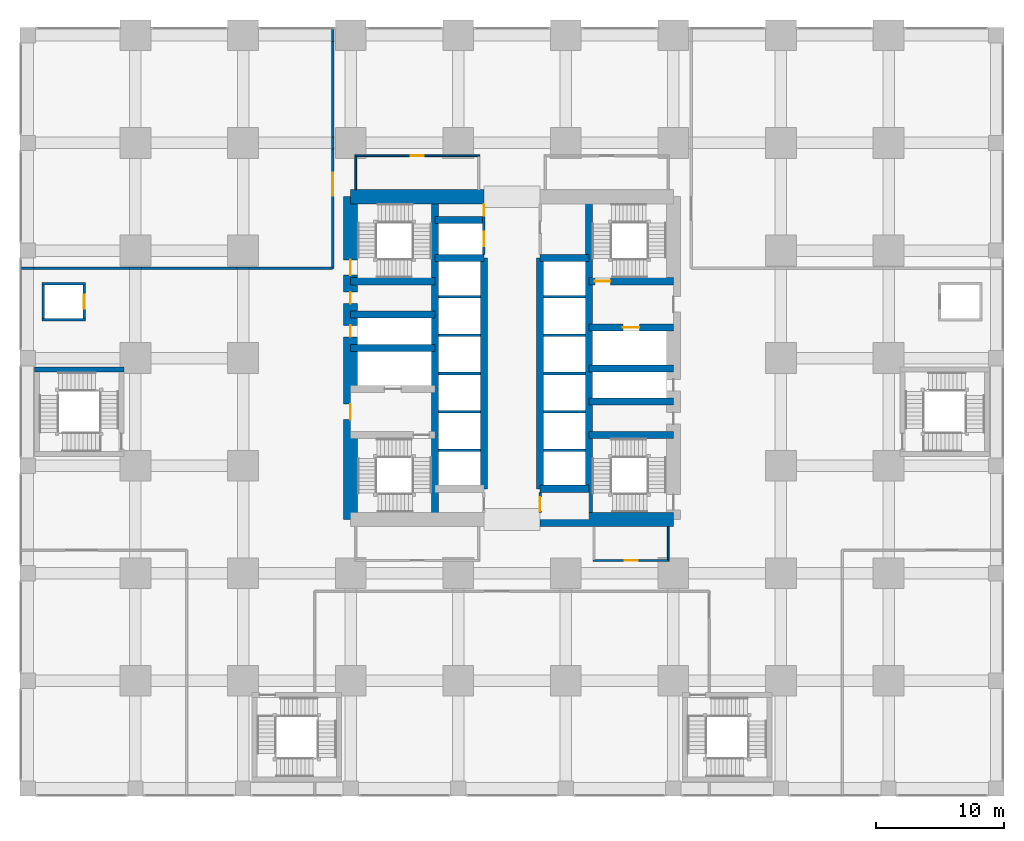
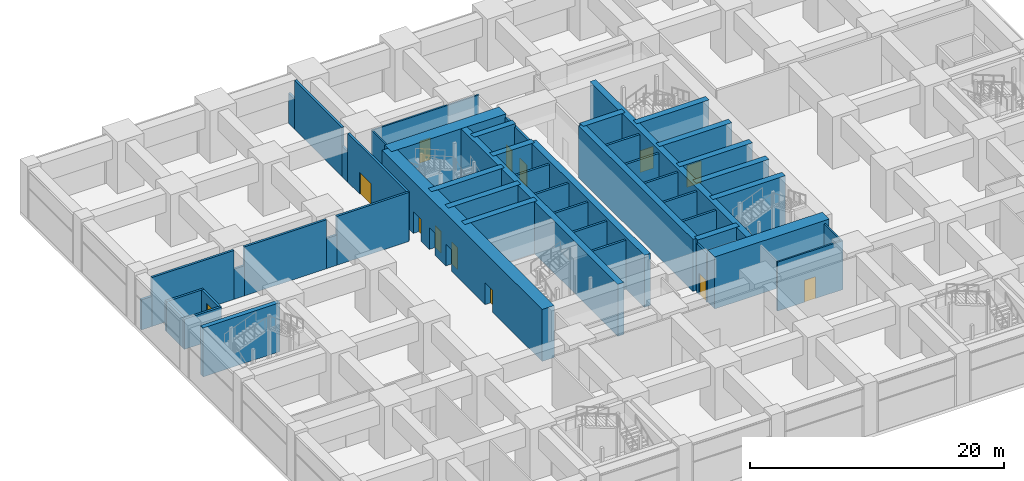
# One storey, part 37 of 48: 50 walls, 13 doors, 13 openings.
"""IFC4 building model written with IfcOpenShell, lengths in metres."""

from ifc_helpers import new_model, si_unit, direction, frame, frame_2d, origin, place, context, subcontext, project, spatial, rectangle, extrude, material, layer, layer_set, type_object, element, fill, save


model = new_model("IFC4")

# Units and contexts
model_context = context("Model", 3, precision=1e-05, world=origin(), true_north=direction((0.0, 1.0)))
body_context = subcontext(model_context, "Body", "Model", "MODEL_VIEW")
ifc_project = project(units=[si_unit("LENGTHUNIT", "METRE"), si_unit("AREAUNIT", "SQUARE_METRE"), si_unit("VOLUMEUNIT", "CUBIC_METRE"), si_unit("PLANEANGLEUNIT", "RADIAN"), si_unit("MASSUNIT", "GRAM", prefix="KILO")], contexts=[model_context])

# Site, building, storey
site_placement = place(None, origin())
site = spatial("IfcSite", under=ifc_project, at=site_placement, CompositionType="ELEMENT")
building_placement = place(site_placement, origin())
building = spatial("IfcBuilding", under=site, at=building_placement, Name="Rekha Terrace Tower", CompositionType="ELEMENT")
storey_placement = place(building_placement, frame((0.0, 0.0, 15.39990234375)))
storey = spatial("IfcBuildingStorey", under=building, at=storey_placement, Name="L03", CompositionType="ELEMENT", Elevation=15.39990234375)

# Walls
ifc_material_1 = material(Name="Concrete M70", Category="concrete")
ifc_layer_1 = layer(ifc_material_1, 0.550048828125)
ifc_layer_set_1 = layer_set([ifc_layer_1], Name="Concrete M70")
wall_type_1 = type_object("IfcWallType", Name="CI1 550 core internal shear wall", PredefinedType="SHEAR", material=ifc_layer_set_1)
for number, where, z_axis, x_axis, name in (
    (1, (31.800048828125, 21.0, 0.0), (0.0, 0.0, 1.0), (0.0, 1.0, 0.0), "Core wall X318 L03"),
    (2, (43.800048828125, 21.0, 0.0), (0.0, 0.0, 1.0), (0.0, 1.0, 0.0), "Core wall X438 L03"),
):
    element("IfcWall", number, at=place(storey_placement, frame(where, z_axis=z_axis, x_axis=x_axis)), inside=storey, type_object=wall_type_1, Name=name, PredefinedType="SHEAR", context=body_context, shape_type="SweptSolid", body=[
        extrude(rectangle(XDim=25.199951171875, YDim=0.550048828125, at=frame_2d((12.60009765625, 0.0))), origin(), (0.0, 0.0, 1.0), 5.0),
    ])
for number, where, z_axis, x_axis, name in (
    (3, (35.60009765625, 23.39990234375, 0.0), (0.0, 0.0, 1.0), (0.0, 1.0, 0.0), "Core wall X356 L03"),
    (4, (40.0, 23.39990234375, 0.0), (0.0, 0.0, 1.0), (0.0, 1.0, 0.0), "Core wall X400 L03"),
):
    element("IfcWall", number, at=place(storey_placement, frame(where, z_axis=z_axis, x_axis=x_axis)), inside=storey, type_object=wall_type_1, Name=name, PredefinedType="SHEAR", context=body_context, shape_type="SweptSolid", body=[
        extrude(rectangle(XDim=18.0, YDim=0.550048828125, at=frame_2d((9.0, 0.0))), origin(), (0.0, 0.0, 1.0), 5.0),
    ])
for number, where, z_axis, x_axis, name in (
    (5, (31.800048828125, 41.39990234375, 0.0), (0.0, 0.0, 1.0), (1.0, 0.0, 0.0), "Core wall Y414W L03"),
    (6, (31.800048828125, 44.39990234375, 0.0), (0.0, 0.0, 1.0), (1.0, 0.0, 0.0), "Core wall Y444W L03"),
    (7, (40.0, 23.39990234375, 0.0), (0.0, 0.0, 1.0), (1.0, 0.0, 0.0), "Core wall Y234E L03"),
    (8, (40.0, 41.39990234375, 0.0), (0.0, 0.0, 1.0), (1.0, 0.0, 0.0), "Core wall Y414E L03"),
):
    element("IfcWall", number, at=place(storey_placement, frame(where, z_axis=z_axis, x_axis=x_axis)), inside=storey, type_object=wall_type_1, Name=name, PredefinedType="SHEAR", context=body_context, shape_type="SweptSolid", body=[
        extrude(rectangle(XDim=3.800048828125, YDim=0.550048828125, at=frame_2d((1.89990234375, 0.0))), origin(), (0.0, 0.0, 1.0), 5.0),
    ])
for number, where, z_axis, x_axis, name in (
    (9, (25.199951171875, 34.39990234375, 0.0), (0.0, 0.0, 1.0), (1.0, 0.0, 0.0), "Core wall Y344W L03"),
    (10, (25.199951171875, 37.0, 0.0), (0.0, 0.0, 1.0), (1.0, 0.0, 0.0), "Core wall Y370W L03"),
    (11, (25.199951171875, 39.60009765625, 0.0), (0.0, 0.0, 1.0), (1.0, 0.0, 0.0), "Core wall Y396W L03"),
):
    element("IfcWall", number, at=place(storey_placement, frame(where, z_axis=z_axis, x_axis=x_axis)), inside=storey, type_object=wall_type_1, Name=name, PredefinedType="SHEAR", context=body_context, shape_type="SweptSolid", body=[
        extrude(rectangle(XDim=6.60009765625, YDim=0.550048828125, at=frame_2d((3.300048828125, 0.0))), origin(), (0.0, 0.0, 1.0), 5.0),
    ])
for number, where, z_axis, x_axis, name in (
    (12, (43.800048828125, 27.60009765625, 0.0), (0.0, 0.0, 1.0), (1.0, 0.0, 0.0), "Core wall Y276E L03"),
    (13, (43.800048828125, 30.199951171875, 0.0), (0.0, 0.0, 1.0), (1.0, 0.0, 0.0), "Core wall Y302E L03"),
    (14, (43.800048828125, 32.800048828125, 0.0), (0.0, 0.0, 1.0), (1.0, 0.0, 0.0), "Core wall Y328E L03"),
):
    element("IfcWall", number, at=place(storey_placement, frame(where, z_axis=z_axis, x_axis=x_axis)), inside=storey, type_object=wall_type_1, Name=name, PredefinedType="SHEAR", context=body_context, shape_type="SweptSolid", body=[
        extrude(rectangle(XDim=6.599853515625, YDim=0.550048828125, at=frame_2d((3.2998046875, 0.0))), origin(), (0.0, 0.0, 1.0), 5.0),
    ])

# Wall, opening, door
wall_1_placement = place(storey_placement, frame((43.800048828125, 36.0, 0.0), z_axis=(0.0, 0.0, 1.0), x_axis=(1.0, 0.0, 0.0)))
wall_1 = element("IfcWall", 15, at=wall_1_placement, inside=storey, type_object=wall_type_1, Name="Core wall Y360E L03", PredefinedType="SHEAR", context=body_context, shape_type="SweptSolid", body=[
    extrude(rectangle(XDim=6.599853515625, YDim=0.550048828125, at=frame_2d((3.2998046875, 0.0))), origin(), (0.0, 0.0, 1.0), 5.0),
])
opening_1_placement = place(wall_1_placement, frame((2.64990234375, 0.0, 0.0)))
opening_1 = element("IfcOpeningElement", 16, at=opening_1_placement, cuts=wall_1, Name="Opening LD2", PredefinedType="OPENING", context=body_context, shape_type="SweptSolid", body=[
    extrude(rectangle(XDim=1.300048828125, YDim=2.10009765625, at=frame_2d((0.64990234375, 1.050048828125))), frame((0.0, 0.284912109375, 0.0), z_axis=(0.0, -1.0, 0.0), x_axis=(1.0, 0.0, 0.0)), (0.0, 0.0, 1.0), 0.570068359375),
])
ifc_material_2 = material(Name="Stainless steel sliding landing door", Category="steel")
door_type_1 = type_object("IfcDoorType", Name="LD2 1300x2100 fire lift landing door", OperationType="SLIDING_TO_LEFT", PredefinedType="USERDEFINED", material=ifc_material_2)
door_1_placement = place(opening_1_placement, origin())
door_1 = element("IfcDoor", 17, at=door_1_placement, inside=storey, type_object=door_type_1, Name="Lift FL2 landing door L03", ObjectType="LIFT LANDING DOOR", OperationType="SLIDING_TO_LEFT", OverallHeight=2.10009765625, OverallWidth=1.300048828125, PredefinedType="USERDEFINED", context=body_context, shape_type="SweptSolid", body=[
    extrude(rectangle(XDim=1.300048828125, YDim=2.10009765625, at=frame_2d((0.64990234375, 1.050048828125))), frame((0.0, 0.02490234375, 0.0), z_axis=(0.0, -1.0, 0.0), x_axis=(1.0, 0.0, 0.0)), (0.0, 0.0, 1.0), 0.050048828125),
])
fill(opening_1, door_1)

wall_2_placement = place(storey_placement, frame((43.800048828125, 39.60009765625, 0.0), z_axis=(0.0, 0.0, 1.0), x_axis=(1.0, 0.0, 0.0)))
wall_2 = element("IfcWall", 18, at=wall_2_placement, inside=storey, type_object=wall_type_1, Name="Core wall Y396E L03", PredefinedType="SHEAR", context=body_context, shape_type="SweptSolid", body=[
    extrude(rectangle(XDim=6.599853515625, YDim=0.550048828125, at=frame_2d((3.2998046875, 0.0))), origin(), (0.0, 0.0, 1.0), 5.0),
])
opening_2_placement = place(wall_2_placement, frame((0.47509765625, 0.0, 0.0)))
opening_2 = element("IfcOpeningElement", 19, at=opening_2_placement, cuts=wall_2, Name="Opening D1", PredefinedType="OPENING", context=body_context, shape_type="SweptSolid", body=[
    extrude(rectangle(XDim=1.199951171875, YDim=2.10009765625, at=frame_2d((0.60009765625, 1.050048828125))), frame((0.0, 0.284912109375, 0.0), z_axis=(0.0, -1.0, 0.0), x_axis=(1.0, 0.0, 0.0)), (0.0, 0.0, 1.0), 0.570068359375),
])
ifc_material_3 = material(Name="Steel fire door", Category="steel")
door_type_2 = type_object("IfcDoorType", Name="D1 1200x2100 stair fire door", OperationType="SINGLE_SWING_RIGHT", PredefinedType="DOOR", material=ifc_material_3)
door_2_placement = place(opening_2_placement, origin())
door_2 = element("IfcDoor", 20, at=door_2_placement, inside=storey, type_object=door_type_2, Name="Stair ST2 door L03", OperationType="SINGLE_SWING_RIGHT", OverallHeight=2.10009765625, OverallWidth=1.199951171875, PredefinedType="DOOR", context=body_context, shape_type="SweptSolid", body=[
    extrude(rectangle(XDim=1.199951171875, YDim=2.10009765625, at=frame_2d((0.60009765625, 1.050048828125))), frame((0.0, 0.02490234375, 0.0), z_axis=(0.0, -1.0, 0.0), x_axis=(1.0, 0.0, 0.0)), (0.0, 0.0, 1.0), 0.050048828125),
])
fill(opening_2, door_2)

# Walls
ifc_layer_2 = layer(ifc_material_1, 1.10009765625)
ifc_layer_set_2 = layer_set([ifc_layer_2], Name="Concrete M70")
wall_type_2 = type_object("IfcWallType", Name="SW1 1100 core outer shear wall", PredefinedType="SHEAR", material=ifc_layer_set_2)
wall_3_placement = place(storey_placement, frame((40.0, 21.0, 0.0), z_axis=(0.0, 0.0, 1.0), x_axis=(1.0, 0.0, 0.0)))
element("IfcWall", 21, at=wall_3_placement, inside=storey, type_object=wall_type_2, Name="Core wall S2 L03", PredefinedType="SHEAR", context=body_context, shape_type="SweptSolid", body=[
    extrude(rectangle(XDim=10.39990234375, YDim=1.10009765625, at=frame_2d((5.199951171875, 0.0))), origin(), (0.0, 0.0, 1.0), 5.0),
])
wall_4_placement = place(storey_placement, frame((25.199951171875, 46.199951171875, 0.0), z_axis=(0.0, 0.0, 1.0), x_axis=(1.0, 0.0, 0.0)))
element("IfcWall", 22, at=wall_4_placement, inside=storey, type_object=wall_type_2, Name="Core wall N1 L03", PredefinedType="SHEAR", context=body_context, shape_type="SweptSolid", body=[
    extrude(rectangle(XDim=10.400146484375, YDim=1.10009765625, at=frame_2d((5.2001953125, 0.0))), origin(), (0.0, 0.0, 1.0), 5.0),
])

# Wall, openings, doors
wall_5_placement = place(storey_placement, frame((25.199951171875, 21.0, 0.0), z_axis=(0.0, 0.0, 1.0), x_axis=(0.0, 1.0, 0.0)))
wall_5 = element("IfcWall", 23, at=wall_5_placement, inside=storey, type_object=wall_type_2, Name="Core wall W L03", PredefinedType="SHEAR", context=body_context, shape_type="SweptSolid", body=[
    extrude(rectangle(XDim=25.199951171875, YDim=1.10009765625, at=frame_2d((12.60009765625, 0.0))), origin(), (0.0, 0.0, 1.0), 5.0),
])
opening_3_placement = place(wall_5_placement, frame((7.800048828125, 0.0, 0.0)))
opening_3 = element("IfcOpeningElement", 24, at=opening_3_placement, cuts=wall_5, Name="Opening D2", PredefinedType="OPENING", context=body_context, shape_type="SweptSolid", body=[
    extrude(rectangle(XDim=1.199951171875, YDim=2.10009765625, at=frame_2d((0.60009765625, 1.050048828125))), frame((0.0, 0.56005859375, 0.0), z_axis=(0.0, -1.0, 0.0), x_axis=(1.0, 0.0, 0.0)), (0.0, 0.0, 1.0), 1.1201171875),
])
opening_4_placement = place(wall_5_placement, frame((14.25, 0.0, 0.0)))
opening_4 = element("IfcOpeningElement", 25, at=opening_4_placement, cuts=wall_5, Name="Opening D5", PredefinedType="OPENING", context=body_context, shape_type="SweptSolid", body=[
    extrude(rectangle(XDim=0.89990234375, YDim=2.10009765625, at=frame_2d((0.449951171875, 1.050048828125))), frame((0.0, 0.56005859375, 0.0), z_axis=(0.0, -1.0, 0.0), x_axis=(1.0, 0.0, 0.0)), (0.0, 0.0, 1.0), 1.1201171875),
])
opening_5_placement = place(wall_5_placement, frame((16.85009765625, 0.0, 0.0)))
opening_5 = element("IfcOpeningElement", 26, at=opening_5_placement, cuts=wall_5, Name="Opening D5", PredefinedType="OPENING", context=body_context, shape_type="SweptSolid", body=[
    extrude(rectangle(XDim=0.89990234375, YDim=2.10009765625, at=frame_2d((0.449951171875, 1.050048828125))), frame((0.0, 0.56005859375, 0.0), z_axis=(0.0, -1.0, 0.0), x_axis=(1.0, 0.0, 0.0)), (0.0, 0.0, 1.0), 1.1201171875),
])
opening_6_placement = place(wall_5_placement, frame((19.074951171875, 0.0, 0.0)))
opening_6 = element("IfcOpeningElement", 27, at=opening_6_placement, cuts=wall_5, Name="Opening D1", PredefinedType="OPENING", context=body_context, shape_type="SweptSolid", body=[
    extrude(rectangle(XDim=1.199951171875, YDim=2.10009765625, at=frame_2d((0.60009765625, 1.050048828125))), frame((0.0, 0.56005859375, 0.0), z_axis=(0.0, -1.0, 0.0), x_axis=(1.0, 0.0, 0.0)), (0.0, 0.0, 1.0), 1.1201171875),
])
door_3_placement = place(opening_6_placement, origin())
door_3 = element("IfcDoor", 28, at=door_3_placement, inside=storey, type_object=door_type_2, Name="Stair ST4 door L03", OperationType="SINGLE_SWING_RIGHT", OverallHeight=2.10009765625, OverallWidth=1.199951171875, PredefinedType="DOOR", context=body_context, shape_type="SweptSolid", body=[
    extrude(rectangle(XDim=1.199951171875, YDim=2.10009765625, at=frame_2d((0.60009765625, 1.050048828125))), frame((0.0, 0.02490234375, 0.0), z_axis=(0.0, -1.0, 0.0), x_axis=(1.0, 0.0, 0.0)), (0.0, 0.0, 1.0), 0.050048828125),
])
fill(opening_6, door_3)
door_type_3 = type_object("IfcDoorType", Name="D2 1200x2100 firefighting lobby door", OperationType="SINGLE_SWING_LEFT", PredefinedType="DOOR", material=ifc_material_3)
door_4_placement = place(opening_3_placement, origin())
door_4 = element("IfcDoor", 29, at=door_4_placement, inside=storey, type_object=door_type_3, Name="Door flb1 L03", OperationType="SINGLE_SWING_LEFT", OverallHeight=2.10009765625, OverallWidth=1.199951171875, PredefinedType="DOOR", context=body_context, shape_type="SweptSolid", body=[
    extrude(rectangle(XDim=1.199951171875, YDim=2.10009765625, at=frame_2d((0.60009765625, 1.050048828125))), frame((0.0, 0.02490234375, 0.0), z_axis=(0.0, -1.0, 0.0), x_axis=(1.0, 0.0, 0.0)), (0.0, 0.0, 1.0), 0.050048828125),
])
fill(opening_3, door_4)
door_type_4 = type_object("IfcDoorType", Name="D5 900x2100 riser access door", OperationType="SINGLE_SWING_LEFT", PredefinedType="DOOR", material=ifc_material_3)
door_5_placement = place(opening_4_placement, origin())
door_5 = element("IfcDoor", 30, at=door_5_placement, inside=storey, type_object=door_type_4, Name="Door rs1 L03", OperationType="SINGLE_SWING_LEFT", OverallHeight=2.10009765625, OverallWidth=0.89990234375, PredefinedType="DOOR", context=body_context, shape_type="SweptSolid", body=[
    extrude(rectangle(XDim=0.89990234375, YDim=2.10009765625, at=frame_2d((0.449951171875, 1.050048828125))), frame((0.0, 0.02490234375, 0.0), z_axis=(0.0, -1.0, 0.0), x_axis=(1.0, 0.0, 0.0)), (0.0, 0.0, 1.0), 0.050048828125),
])
fill(opening_4, door_5)
door_6_placement = place(opening_5_placement, origin())
door_6 = element("IfcDoor", 31, at=door_6_placement, inside=storey, type_object=door_type_4, Name="Door elw L03", OperationType="SINGLE_SWING_LEFT", OverallHeight=2.10009765625, OverallWidth=0.89990234375, PredefinedType="DOOR", context=body_context, shape_type="SweptSolid", body=[
    extrude(rectangle(XDim=0.89990234375, YDim=2.10009765625, at=frame_2d((0.449951171875, 1.050048828125))), frame((0.0, 0.02490234375, 0.0), z_axis=(0.0, -1.0, 0.0), x_axis=(1.0, 0.0, 0.0)), (0.0, 0.0, 1.0), 0.050048828125),
])
fill(opening_5, door_6)

# Walls
ifc_material_4 = material(Name="Solid concrete block masonry, 2 hour", Category="masonry")
ifc_layer_3 = layer(ifc_material_4, 0.199951171875)
ifc_layer_set_3 = layer_set([ifc_layer_3], Name="Solid concrete block masonry, 2 hour")
wall_type_3 = type_object("IfcWallType", Name="WP1 200 plant room wall", PredefinedType="PARTITIONING", material=ifc_layer_set_3)
wall_6_placement = place(storey_placement, frame((23.800048828125, 59.2900390625, 0.0), z_axis=(0.0, 0.0, 1.0), x_axis=(0.0, -1.0, 0.0)))
element("IfcWall", 32, at=wall_6_placement, inside=storey, type_object=wall_type_3, Name="Partition L03-03", PredefinedType="PARTITIONING", context=body_context, shape_type="SweptSolid", body=[
    extrude(rectangle(XDim=0.949951171875, YDim=0.199951171875, at=frame_2d((0.47509765625, 0.0))), origin(), (0.0, 0.0, 1.0), 2.900146484375),
])
wall_7_placement = place(storey_placement, frame((23.800048828125, 58.340087890625, 0.0), z_axis=(0.0, 0.0, 1.0), x_axis=(0.0, -1.0, 0.0)))
element("IfcWall", 33, at=wall_7_placement, inside=storey, type_object=wall_type_3, Name="Partition L03-03", PredefinedType="PARTITIONING", context=body_context, shape_type="SweptSolid", body=[
    extrude(rectangle(XDim=7.47998046875, YDim=0.199951171875, at=frame_2d((3.739990234375, 0.0))), origin(), (0.0, 0.0, 1.0), 4.7001953125),
])
wall_8_placement = place(storey_placement, frame((23.800048828125, 50.860107421875, 0.0), z_axis=(0.0, 0.0, 1.0), x_axis=(0.0, -1.0, 0.0)))
element("IfcWall", 34, at=wall_8_placement, inside=storey, type_object=wall_type_3, Name="Partition L03-03", PredefinedType="PARTITIONING", context=body_context, shape_type="SweptSolid", body=[
    extrude(rectangle(XDim=0.920166015625, YDim=0.199951171875, at=frame_2d((0.4599609375, 0.0))), origin(), (0.0, 0.0, 1.0), 2.900146484375),
])

# Wall, opening, door
wall_9_placement = place(storey_placement, frame((23.800048828125, 49.93994140625, 0.0), z_axis=(0.0, 0.0, 1.0), x_axis=(0.0, -1.0, 0.0)))
wall_9 = element("IfcWall", 35, at=wall_9_placement, inside=storey, type_object=wall_type_3, Name="Partition L03-03", PredefinedType="PARTITIONING", context=body_context, shape_type="SweptSolid", body=[
    extrude(rectangle(XDim=9.33984375, YDim=0.199951171875, at=frame_2d((4.669921875, 0.0))), origin(), (0.0, 0.0, 1.0), 4.7001953125),
])
opening_7_placement = place(wall_9_placement, frame((1.8701171875, 0.0, 0.0)))
opening_7 = element("IfcOpeningElement", 36, at=opening_7_placement, cuts=wall_9, Name="Opening D8", PredefinedType="OPENING", context=body_context, shape_type="SweptSolid", body=[
    extrude(rectangle(XDim=1.800048828125, YDim=2.10009765625, at=frame_2d((0.89990234375, 1.050048828125))), frame((0.0, 0.10986328125, 0.0), z_axis=(0.0, -1.0, 0.0), x_axis=(1.0, 0.0, 0.0)), (0.0, 0.0, 1.0), 0.219970703125),
])
ifc_material_5 = material(Name="Timber fire door", Category="wood")
door_type_5 = type_object("IfcDoorType", Name="D8 1800x2100 double leaf door", OperationType="DOUBLE_DOOR_SINGLE_SWING", PredefinedType="DOOR", material=ifc_material_5)
door_7_placement = place(opening_7_placement, origin())
door_7 = element("IfcDoor", 37, at=door_7_placement, inside=storey, type_object=door_type_5, Name="Door kitchen 1 L03", OperationType="DOUBLE_DOOR_SINGLE_SWING", OverallHeight=2.10009765625, OverallWidth=1.800048828125, PredefinedType="DOOR", context=body_context, shape_type="SweptSolid", body=[
    extrude(rectangle(XDim=1.800048828125, YDim=2.10009765625, at=frame_2d((0.89990234375, 1.050048828125))), frame((0.0, 0.02490234375, 0.0), z_axis=(0.0, -1.0, 0.0), x_axis=(1.0, 0.0, 0.0)), (0.0, 0.0, 1.0), 0.050048828125),
])
fill(opening_7, door_7)

# Walls
wall_10_placement = place(storey_placement, frame((23.800048828125, 40.60009765625, 0.0), z_axis=(0.0, 0.0, 1.0), x_axis=(-1.0, 0.0, 0.0)))
element("IfcWall", 38, at=wall_10_placement, inside=storey, type_object=wall_type_3, Name="Partition L03-03", PredefinedType="PARTITIONING", context=body_context, shape_type="SweptSolid", body=[
    extrude(rectangle(XDim=6.5400390625, YDim=0.199951171875, at=frame_2d((3.27001953125, 0.0))), origin(), (0.0, 0.0, 1.0), 4.7001953125),
])
wall_11_placement = place(storey_placement, frame((17.260009765625, 40.60009765625, 0.0), z_axis=(0.0, 0.0, 1.0), x_axis=(-1.0, 0.0, 0.0)))
element("IfcWall", 39, at=wall_11_placement, inside=storey, type_object=wall_type_3, Name="Partition L03-03", PredefinedType="PARTITIONING", context=body_context, shape_type="SweptSolid", body=[
    extrude(rectangle(XDim=0.919921875, YDim=0.199951171875, at=frame_2d((0.4599609375, 0.0))), origin(), (0.0, 0.0, 1.0), 2.900146484375),
])
wall_12_placement = place(storey_placement, frame((16.340087890625, 40.60009765625, 0.0), z_axis=(0.0, 0.0, 1.0), x_axis=(-1.0, 0.0, 0.0)))
element("IfcWall", 40, at=wall_12_placement, inside=storey, type_object=wall_type_3, Name="Partition L03-03", PredefinedType="PARTITIONING", context=body_context, shape_type="SweptSolid", body=[
    extrude(rectangle(XDim=7.47998046875, YDim=0.199951171875, at=frame_2d((3.739990234375, 0.0))), origin(), (0.0, 0.0, 1.0), 4.7001953125),
])
wall_13_placement = place(storey_placement, frame((8.860107421875, 40.60009765625, 0.0), z_axis=(0.0, 0.0, 1.0), x_axis=(-1.0, 0.0, 0.0)))
element("IfcWall", 41, at=wall_13_placement, inside=storey, type_object=wall_type_3, Name="Partition L03-03", PredefinedType="PARTITIONING", context=body_context, shape_type="SweptSolid", body=[
    extrude(rectangle(XDim=0.920166015625, YDim=0.199951171875, at=frame_2d((0.4599609375, 0.0))), origin(), (0.0, 0.0, 1.0), 2.900146484375),
])
wall_14_placement = place(storey_placement, frame((7.93994140625, 40.60009765625, 0.0), z_axis=(0.0, 0.0, 1.0), x_axis=(-1.0, 0.0, 0.0)))
element("IfcWall", 42, at=wall_14_placement, inside=storey, type_object=wall_type_3, Name="Partition L03-03", PredefinedType="PARTITIONING", context=body_context, shape_type="SweptSolid", body=[
    extrude(rectangle(XDim=7.47998046875, YDim=0.199951171875, at=frame_2d((3.739990234375, 0.0))), origin(), (0.0, 0.0, 1.0), 4.7001953125),
])
wall_15_placement = place(storey_placement, frame((0.4599609375, 40.60009765625, 0.0), z_axis=(0.0, 0.0, 1.0), x_axis=(-1.0, 0.0, 0.0)))
element("IfcWall", 43, at=wall_15_placement, inside=storey, type_object=wall_type_3, Name="Partition L03-03", PredefinedType="PARTITIONING", context=body_context, shape_type="SweptSolid", body=[
    extrude(rectangle(XDim=0.949951171875, YDim=0.199951171875, at=frame_2d((0.47509765625, 0.0))), origin(), (0.0, 0.0, 1.0), 2.900146484375),
])

# Wall, opening, door
ifc_material_6 = material(Name="Concrete block masonry, 1 hour", Category="masonry")
ifc_layer_4 = layer(ifc_material_6, 0.14990234375)
ifc_layer_set_4 = layer_set([ifc_layer_4], Name="Concrete block masonry, 1 hour")
wall_type_4 = type_object("IfcWallType", Name="WP2 150 tenancy partition", PredefinedType="PARTITIONING", material=ifc_layer_set_4)
wall_16_placement = place(storey_placement, frame((25.52490234375, 49.39990234375, 0.0), z_axis=(0.0, 0.0, 1.0), x_axis=(1.0, 0.0, 0.0)))
wall_16 = element("IfcWall", 44, at=wall_16_placement, inside=storey, type_object=wall_type_4, Name="Women's WC wall L03", PredefinedType="PARTITIONING", context=body_context, shape_type="SweptSolid", body=[
    extrude(rectangle(XDim=9.75, YDim=0.14990234375, at=frame_2d((4.875, 0.0))), origin(), (0.0, 0.0, 1.0), 4.7001953125),
])
opening_8_placement = place(wall_16_placement, frame((4.375, 0.0, 0.0)))
opening_8 = element("IfcOpeningElement", 45, at=opening_8_placement, cuts=wall_16, Name="Opening D3", PredefinedType="OPENING", context=body_context, shape_type="SweptSolid", body=[
    extrude(rectangle(XDim=1.0, YDim=2.10009765625, at=frame_2d((0.5, 1.050048828125))), frame((0.0, 0.0849609375, 0.0), z_axis=(0.0, -1.0, 0.0), x_axis=(1.0, 0.0, 0.0)), (0.0, 0.0, 1.0), 0.169921875),
])
ifc_material_7 = material(Name="Laminated timber fire door", Category="wood")
door_type_6 = type_object("IfcDoorType", Name="D3 1000x2100 WC door", OperationType="SINGLE_SWING_LEFT", PredefinedType="DOOR", material=ifc_material_7)
door_8_placement = place(opening_8_placement, origin())
door_8 = element("IfcDoor", 46, at=door_8_placement, inside=storey, type_object=door_type_6, Name="Door women's wc L03", OperationType="SINGLE_SWING_LEFT", OverallHeight=2.10009765625, OverallWidth=1.0, PredefinedType="DOOR", context=body_context, shape_type="SweptSolid", body=[
    extrude(rectangle(XDim=1.0, YDim=2.10009765625, at=frame_2d((0.5, 1.050048828125))), frame((0.0, 0.02490234375, 0.0), z_axis=(0.0, -1.0, 0.0), x_axis=(1.0, 0.0, 0.0)), (0.0, 0.0, 1.0), 0.050048828125),
])
fill(opening_8, door_8)

# Wall
wall_17_placement = place(storey_placement, frame((25.60009765625, 46.75, 0.0), z_axis=(0.0, 0.0, 1.0), x_axis=(0.0, 1.0, 0.0)))
element("IfcWall", 47, at=wall_17_placement, inside=storey, type_object=wall_type_4, Name="Women's WC wall L03", PredefinedType="PARTITIONING", context=body_context, shape_type="SweptSolid", body=[
    extrude(rectangle(XDim=2.574951171875, YDim=0.14990234375, at=frame_2d((1.28759765625, 0.0))), origin(), (0.0, 0.0, 1.0), 4.7001953125),
])

# Wall, opening, door
wall_18_placement = place(storey_placement, frame((44.125, 17.800048828125, 0.0), z_axis=(0.0, 0.0, 1.0), x_axis=(1.0, 0.0, 0.0)))
wall_18 = element("IfcWall", 48, at=wall_18_placement, inside=storey, type_object=wall_type_4, Name="Men's WC wall L03", PredefinedType="PARTITIONING", context=body_context, shape_type="SweptSolid", body=[
    extrude(rectangle(XDim=5.949951171875, YDim=0.14990234375, at=frame_2d((2.97509765625, 0.0))), origin(), (0.0, 0.0, 1.0), 4.7001953125),
])
opening_9_placement = place(wall_18_placement, frame((2.47509765625, 0.0, 0.0)))
opening_9 = element("IfcOpeningElement", 49, at=opening_9_placement, cuts=wall_18, Name="Opening D3", PredefinedType="OPENING", context=body_context, shape_type="SweptSolid", body=[
    extrude(rectangle(XDim=1.0, YDim=2.10009765625, at=frame_2d((0.5, 1.050048828125))), frame((0.0, 0.0849609375, 0.0), z_axis=(0.0, -1.0, 0.0), x_axis=(1.0, 0.0, 0.0)), (0.0, 0.0, 1.0), 0.169921875),
])
door_9_placement = place(opening_9_placement, origin())
door_9 = element("IfcDoor", 50, at=door_9_placement, inside=storey, type_object=door_type_6, Name="Door men's wc L03", OperationType="SINGLE_SWING_LEFT", OverallHeight=2.10009765625, OverallWidth=1.0, PredefinedType="DOOR", context=body_context, shape_type="SweptSolid", body=[
    extrude(rectangle(XDim=1.0, YDim=2.10009765625, at=frame_2d((0.5, 1.050048828125))), frame((0.0, 0.02490234375, 0.0), z_axis=(0.0, -1.0, 0.0), x_axis=(1.0, 0.0, 0.0)), (0.0, 0.0, 1.0), 0.050048828125),
])
fill(opening_9, door_9)

# Walls
wall_19_placement = place(storey_placement, frame((50.0, 17.875, 0.0), z_axis=(0.0, 0.0, 1.0), x_axis=(0.0, 1.0, 0.0)))
element("IfcWall", 51, at=wall_19_placement, inside=storey, type_object=wall_type_4, Name="Men's WC wall L03", PredefinedType="PARTITIONING", context=body_context, shape_type="SweptSolid", body=[
    extrude(rectangle(XDim=2.574951171875, YDim=0.14990234375, at=frame_2d((1.28759765625, 0.0))), origin(), (0.0, 0.0, 1.0), 4.7001953125),
])
ifc_layer_5 = layer(ifc_material_4, 0.199951171875)
ifc_layer_set_5 = layer_set([ifc_layer_5], Name="Solid concrete block masonry, 2 hour")
wall_type_5 = type_object("IfcWallType", Name="WS1 200 stair and shaft enclosure", PredefinedType="PARTITIONING", material=ifc_layer_set_5)
for number, where, z_axis, x_axis, name in (
    (52, (1.10009765625, 36.60009765625, 0.0), (0.0, 0.0, 1.0), (1.0, 0.0, 0.0), "Lift PL1 shaft south wall"),
    (53, (1.10009765625, 39.39990234375, 0.0), (0.0, 0.0, 1.0), (1.0, 0.0, 0.0), "Lift PL1 shaft north wall"),
):
    element("IfcWall", number, at=place(storey_placement, frame(where, z_axis=z_axis, x_axis=x_axis)), inside=storey, type_object=wall_type_5, Name=name, PredefinedType="PARTITIONING", context=body_context, shape_type="SweptSolid", body=[
        extrude(rectangle(XDim=3.39990234375, YDim=0.199951171875, at=frame_2d((1.699951171875, 0.0))), origin(), (0.0, 0.0, 1.0), 2.900146484375),
    ])
wall_20_placement = place(storey_placement, frame((1.199951171875, 36.699951171875, 0.0), z_axis=(0.0, 0.0, 1.0), x_axis=(0.0, 1.0, 0.0)))
element("IfcWall", 54, at=wall_20_placement, inside=storey, type_object=wall_type_5, Name="Lift PL1 shaft west wall", PredefinedType="PARTITIONING", context=body_context, shape_type="SweptSolid", body=[
    extrude(rectangle(XDim=2.60009765625, YDim=0.199951171875, at=frame_2d((1.300048828125, 0.0))), origin(), (0.0, 0.0, 1.0), 2.900146484375),
])

# Wall, opening, door
wall_21_placement = place(storey_placement, frame((4.39990234375, 36.699951171875, 0.0), z_axis=(0.0, 0.0, 1.0), x_axis=(0.0, 1.0, 0.0)))
wall_21 = element("IfcWall", 55, at=wall_21_placement, inside=storey, type_object=wall_type_5, Name="Lift PL1 shaft east wall", PredefinedType="PARTITIONING", context=body_context, shape_type="SweptSolid", body=[
    extrude(rectangle(XDim=2.60009765625, YDim=0.199951171875, at=frame_2d((1.300048828125, 0.0))), origin(), (0.0, 0.0, 1.0), 2.900146484375),
])
opening_10_placement = place(wall_21_placement, frame((0.75, 0.0, 0.0)))
opening_10 = element("IfcOpeningElement", 56, at=opening_10_placement, cuts=wall_21, Name="Opening LD1", PredefinedType="OPENING", context=body_context, shape_type="SweptSolid", body=[
    extrude(rectangle(XDim=1.10009765625, YDim=2.10009765625, at=frame_2d((0.550048828125, 1.050048828125))), frame((0.0, 0.10986328125, 0.0), z_axis=(0.0, -1.0, 0.0), x_axis=(1.0, 0.0, 0.0)), (0.0, 0.0, 1.0), 0.219970703125),
])
door_type_7 = type_object("IfcDoorType", Name="LD1 1100x2100 lift landing door", OperationType="SLIDING_TO_LEFT", PredefinedType="USERDEFINED", material=ifc_material_2)
door_10_placement = place(opening_10_placement, origin())
door_10 = element("IfcDoor", 57, at=door_10_placement, inside=storey, type_object=door_type_7, Name="Lift PL1 landing door L03", ObjectType="LIFT LANDING DOOR", OperationType="SLIDING_TO_LEFT", OverallHeight=2.10009765625, OverallWidth=1.10009765625, PredefinedType="USERDEFINED", context=body_context, shape_type="SweptSolid", body=[
    extrude(rectangle(XDim=1.10009765625, YDim=2.10009765625, at=frame_2d((0.550048828125, 1.050048828125))), frame((0.0, 0.02490234375, 0.0), z_axis=(0.0, -1.0, 0.0), x_axis=(1.0, 0.0, 0.0)), (0.0, 0.0, 1.0), 0.050048828125),
])
fill(opening_10, door_10)

# Walls
for number, where, z_axis, x_axis, name in (
    (58, (32.074951171875, 26.39990234375, 0.0), (0.0, 0.0, 1.0), (1.0, 0.0, 0.0), "Lift shaft divider L03"),
    (59, (32.074951171875, 29.39990234375, 0.0), (0.0, 0.0, 1.0), (1.0, 0.0, 0.0), "Lift shaft divider L03"),
    (60, (32.074951171875, 32.39990234375, 0.0), (0.0, 0.0, 1.0), (1.0, 0.0, 0.0), "Lift shaft divider L03"),
    (61, (32.074951171875, 35.39990234375, 0.0), (0.0, 0.0, 1.0), (1.0, 0.0, 0.0), "Lift shaft divider L03"),
    (62, (32.074951171875, 38.39990234375, 0.0), (0.0, 0.0, 1.0), (1.0, 0.0, 0.0), "Lift shaft divider L03"),
    (63, (40.27490234375, 26.39990234375, 0.0), (0.0, 0.0, 1.0), (1.0, 0.0, 0.0), "Lift shaft divider L03"),
    (64, (40.27490234375, 29.39990234375, 0.0), (0.0, 0.0, 1.0), (1.0, 0.0, 0.0), "Lift shaft divider L03"),
    (65, (40.27490234375, 32.39990234375, 0.0), (0.0, 0.0, 1.0), (1.0, 0.0, 0.0), "Lift shaft divider L03"),
    (66, (40.27490234375, 35.39990234375, 0.0), (0.0, 0.0, 1.0), (1.0, 0.0, 0.0), "Lift shaft divider L03"),
    (67, (40.27490234375, 38.39990234375, 0.0), (0.0, 0.0, 1.0), (1.0, 0.0, 0.0), "Lift shaft divider L03"),
):
    element("IfcWall", number, at=place(storey_placement, frame(where, z_axis=z_axis, x_axis=x_axis)), inside=storey, type_object=wall_type_5, Name=name, PredefinedType="PARTITIONING", context=body_context, shape_type="SweptSolid", body=[
        extrude(rectangle(XDim=3.25, YDim=0.199951171875, at=frame_2d((1.625, 0.0))), origin(), (0.0, 0.0, 1.0), 4.7001953125),
    ])

# Wall, opening, door
wall_22_placement = place(storey_placement, frame((40.0, 21.550048828125, 0.0), z_axis=(0.0, 0.0, 1.0), x_axis=(0.0, 1.0, 0.0)))
wall_22 = element("IfcWall", 68, at=wall_22_placement, inside=storey, type_object=wall_type_5, Name="Core partition wca L03", PredefinedType="PARTITIONING", context=body_context, shape_type="SweptSolid", body=[
    extrude(rectangle(XDim=1.574951171875, YDim=0.199951171875, at=frame_2d((0.78759765625, 0.0))), origin(), (0.0, 0.0, 1.0), 4.7001953125),
])
opening_11_placement = place(wall_22_placement, frame((0.10009765625, 0.0, 0.0)))
opening_11 = element("IfcOpeningElement", 69, at=opening_11_placement, cuts=wall_22, Name="Opening D4", PredefinedType="OPENING", context=body_context, shape_type="SweptSolid", body=[
    extrude(rectangle(XDim=1.10009765625, YDim=2.10009765625, at=frame_2d((0.550048828125, 1.050048828125))), frame((0.0, 0.10986328125, 0.0), z_axis=(0.0, -1.0, 0.0), x_axis=(1.0, 0.0, 0.0)), (0.0, 0.0, 1.0), 0.219970703125),
])
door_type_8 = type_object("IfcDoorType", Name="D4 1100x2100 accessible WC door", OperationType="SLIDING_TO_LEFT", PredefinedType="DOOR", material=ifc_material_7)
door_11_placement = place(opening_11_placement, origin())
door_11 = element("IfcDoor", 70, at=door_11_placement, inside=storey, type_object=door_type_8, Name="Door wca L03", OperationType="SLIDING_TO_LEFT", OverallHeight=2.10009765625, OverallWidth=1.10009765625, PredefinedType="DOOR", context=body_context, shape_type="SweptSolid", body=[
    extrude(rectangle(XDim=1.10009765625, YDim=2.10009765625, at=frame_2d((0.550048828125, 1.050048828125))), frame((0.0, 0.02490234375, 0.0), z_axis=(0.0, -1.0, 0.0), x_axis=(1.0, 0.0, 0.0)), (0.0, 0.0, 1.0), 0.050048828125),
])
fill(opening_11, door_11)

# Wall, openings, doors
wall_23_placement = place(storey_placement, frame((35.60009765625, 41.675048828125, 0.0), z_axis=(0.0, 0.0, 1.0), x_axis=(0.0, 1.0, 0.0)))
wall_23 = element("IfcWall", 71, at=wall_23_placement, inside=storey, type_object=wall_type_5, Name="Core partition jansv L03", PredefinedType="PARTITIONING", context=body_context, shape_type="SweptSolid", body=[
    extrude(rectangle(XDim=3.974853515625, YDim=0.199951171875, at=frame_2d((1.9873046875, 0.0))), origin(), (0.0, 0.0, 1.0), 4.7001953125),
])
opening_12_placement = place(wall_23_placement, frame((3.02490234375, 0.0, 0.0)))
opening_12 = element("IfcOpeningElement", 72, at=opening_12_placement, cuts=wall_23, Name="Opening D5", PredefinedType="OPENING", context=body_context, shape_type="SweptSolid", body=[
    extrude(rectangle(XDim=0.89990234375, YDim=2.10009765625, at=frame_2d((0.449951171875, 1.050048828125))), frame((0.0, 0.10986328125, 0.0), z_axis=(0.0, -1.0, 0.0), x_axis=(1.0, 0.0, 0.0)), (0.0, 0.0, 1.0), 0.219970703125),
])
opening_13_placement = place(wall_23_placement, frame((0.675048828125, 0.0, 0.0)))
opening_13 = element("IfcOpeningElement", 73, at=opening_13_placement, cuts=wall_23, Name="Opening LD1", PredefinedType="OPENING", context=body_context, shape_type="SweptSolid", body=[
    extrude(rectangle(XDim=1.10009765625, YDim=2.10009765625, at=frame_2d((0.550048828125, 1.050048828125))), frame((0.0, 0.10986328125, 0.0), z_axis=(0.0, -1.0, 0.0), x_axis=(1.0, 0.0, 0.0)), (0.0, 0.0, 1.0), 0.219970703125),
])
door_12_placement = place(opening_12_placement, origin())
door_12 = element("IfcDoor", 74, at=door_12_placement, inside=storey, type_object=door_type_4, Name="Door janitor room L03", OperationType="SINGLE_SWING_LEFT", OverallHeight=2.10009765625, OverallWidth=0.89990234375, PredefinedType="DOOR", context=body_context, shape_type="SweptSolid", body=[
    extrude(rectangle(XDim=0.89990234375, YDim=2.10009765625, at=frame_2d((0.449951171875, 1.050048828125))), frame((0.0, 0.02490234375, 0.0), z_axis=(0.0, -1.0, 0.0), x_axis=(1.0, 0.0, 0.0)), (0.0, 0.0, 1.0), 0.050048828125),
])
fill(opening_12, door_12)
door_13_placement = place(opening_13_placement, origin())
door_13 = element("IfcDoor", 75, at=door_13_placement, inside=storey, type_object=door_type_7, Name="Lift SV1 landing door L03", ObjectType="LIFT LANDING DOOR", OperationType="SLIDING_TO_LEFT", OverallHeight=2.10009765625, OverallWidth=1.10009765625, PredefinedType="USERDEFINED", context=body_context, shape_type="SweptSolid", body=[
    extrude(rectangle(XDim=1.10009765625, YDim=2.10009765625, at=frame_2d((0.550048828125, 1.050048828125))), frame((0.0, 0.02490234375, 0.0), z_axis=(0.0, -1.0, 0.0), x_axis=(1.0, 0.0, 0.0)), (0.0, 0.0, 1.0), 0.050048828125),
])
fill(opening_13, door_13)

# Wall
ifc_material_8 = material(Name="Concrete M60", Category="concrete")
ifc_layer_6 = layer(ifc_material_8, 0.39990234375)
ifc_layer_set_6 = layer_set([ifc_layer_6], Name="Concrete M60")
wall_type_6 = type_object("IfcWallType", Name="WS3 400 RC podium stair wall", PredefinedType="SOLIDWALL", material=ifc_layer_set_6)
wall_24_placement = place(storey_placement, frame((0.5, 32.699951171875, 0.0), z_axis=(0.0, 0.0, 1.0), x_axis=(1.0, 0.0, 0.0)))
element("IfcWall", 76, at=wall_24_placement, inside=storey, type_object=wall_type_6, Name="Stair SP1 north wall", PredefinedType="SOLIDWALL", context=body_context, shape_type="SweptSolid", body=[
    extrude(rectangle(XDim=7.0, YDim=0.39990234375, at=frame_2d((3.5, 0.0))), origin(), (0.0, 0.0, 1.0), 4.7001953125),
])

save(model, "model.ifc")
